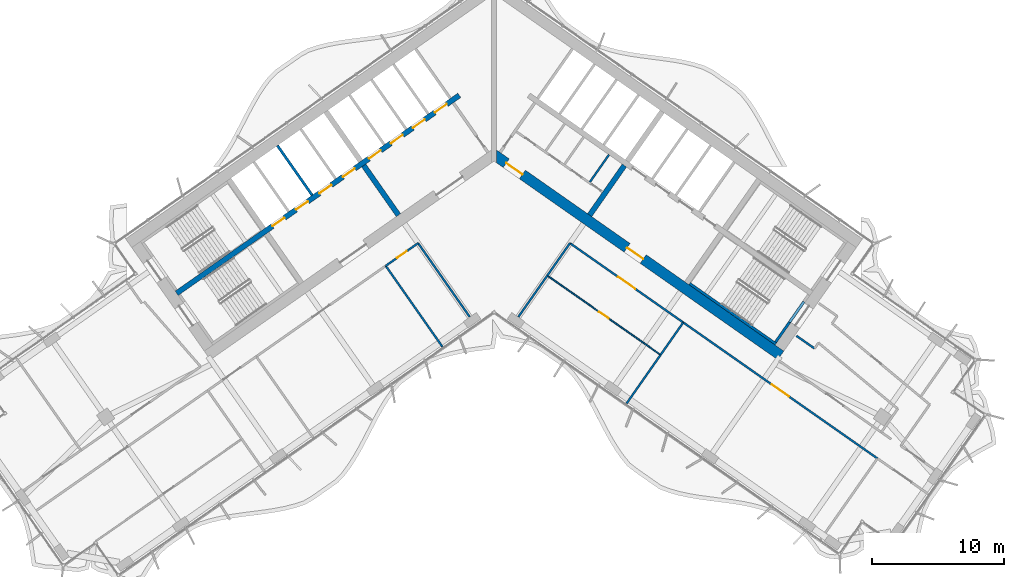
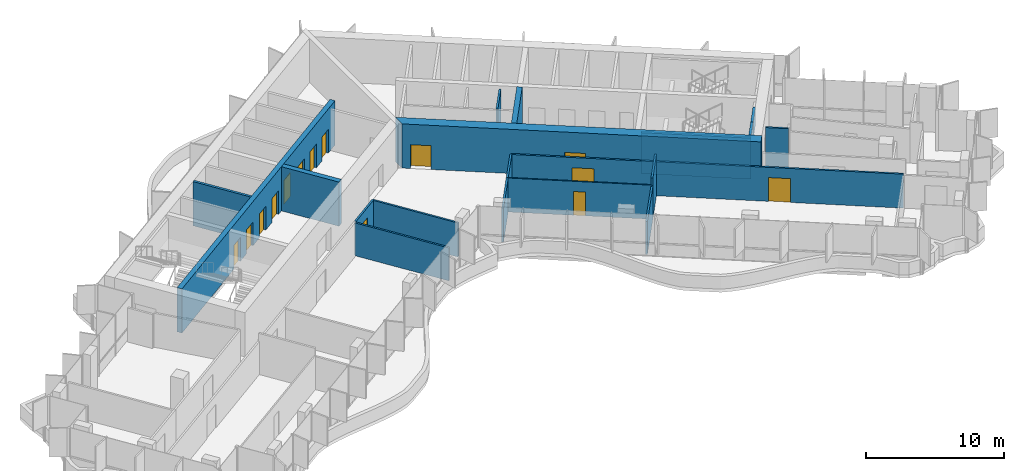
# One storey, part 13 of 21: 20 walls, 14 doors, 14 openings.
"""IFC4 building model written with IfcOpenShell, lengths in metres."""

from ifc_helpers import new_model, si_unit, direction, frame, frame_2d, origin, place, context, subcontext, project, spatial, polyline, rectangle, outline, extrude, material, layer, layer_set, type_object, element, fill, save


model = new_model("IFC4")

# Units and contexts
model_context = context("Model", 3, precision=1e-05, world=origin(), true_north=direction((0.0, 1.0)))
body_context = subcontext(model_context, "Body", "Model", "MODEL_VIEW")
ifc_project = project(units=[si_unit("LENGTHUNIT", "METRE"), si_unit("AREAUNIT", "SQUARE_METRE"), si_unit("VOLUMEUNIT", "CUBIC_METRE"), si_unit("PLANEANGLEUNIT", "RADIAN"), si_unit("MASSUNIT", "GRAM", prefix="KILO")], contexts=[model_context])

# Site, building, storey
site_placement = place(None, origin())
site = spatial("IfcSite", under=ifc_project, at=site_placement, CompositionType="ELEMENT")
building_placement = place(site_placement, origin())
building = spatial("IfcBuilding", under=site, at=building_placement, Name="Tel Ilan Convention Tower", CompositionType="ELEMENT")
storey_placement = place(building_placement, frame((0.0, 0.0, 147.60009765625)))
storey = spatial("IfcBuildingStorey", under=building, at=storey_placement, Name="L33", CompositionType="ELEMENT", Elevation=147.60009765625)

# Walls
ifc_material_1 = material(Name="Gypsum Plasterboard on Steel Stud", Category="steel")
ifc_layer_1 = layer(ifc_material_1, 0.14990234375)
ifc_layer_set_1 = layer_set([ifc_layer_1], Name="Core Room Partition Wall 150 mm EI 60")
wall_type_1 = type_object("IfcWallType", Name="Core Room Partition Wall 150 mm EI 60", PredefinedType="PARTITIONING", material=ifc_layer_set_1)
wall_1_placement = place(storey_placement, frame((7.280517578125, -2.808837890625, 0.0), z_axis=(0.0, 0.0, 1.0), x_axis=(0.573566168143, 0.81915923407, 0.0)))
element("IfcWall", 1, at=wall_1_placement, inside=storey, type_object=wall_type_1, Name="L33 core wall wc-v2", PredefinedType="PARTITIONING", context=body_context, shape_type="SweptSolid", body=[
    extrude(rectangle(XDim=2.52490234375, YDim=0.14990234375, at=frame_2d((1.262451171875, 0.0))), origin(), (0.0, 0.0, 1.0), 3.619873046875),
])
ifc_material_2 = material(Name="Concrete C50/60", Category="concrete")
ifc_layer_2 = layer(ifc_material_2, 0.39990234375)
ifc_layer_set_2 = layer_set([ifc_layer_2], Name="Core Shear Wall 400 mm C50/60")
wall_type_2 = type_object("IfcWallType", Name="Core Shear Wall 400 mm C50/60", PredefinedType="SHEAR", material=ifc_layer_set_2)
wall_2_placement = place(storey_placement, frame((-7.2578125, -5.325927734375, 0.0), z_axis=(0.0, 0.0, 1.0), x_axis=(-0.573540709186, 0.819177059558, 0.0)))
element("IfcWall", 2, at=wall_2_placement, inside=storey, type_object=wall_type_2, Name="L33 core wall W-cross1-1", PredefinedType="SHEAR", context=body_context, shape_type="SweptSolid", body=[
    extrude(outline(polyline([(4.599853515625, 0.2001953125), (-0.000244140625, 0.199951171875), (-0.000244140625, -0.2001953125), (4.599853515625, -0.199951171875), (4.599853515625, 0.2001953125)])), origin(), (0.0, 0.0, 1.0), 3.89990234375),
])

# Wall, openings, doors
wall_3_placement = place(storey_placement, frame((-2.638427734375, 3.76806640625, 0.0), z_axis=(0.0, 0.0, 1.0), x_axis=(-0.81915267502, -0.573575535572, 0.0)))
wall_3 = element("IfcWall", 3, at=wall_3_placement, inside=storey, type_object=wall_type_2, Name="L33 core wall W-spine", PredefinedType="SHEAR", context=body_context, shape_type="SweptSolid", body=[
    extrude(outline(polyline([(26.199951171875, 0.199951171875), (0.0, 0.199951171875), (0.0, -0.199951171875), (26.199951171875, -0.199951171875), (26.199951171875, 0.199951171875)])), origin(), (0.0, 0.0, 1.0), 3.89990234375),
])
opening_1_placement = place(wall_3_placement, frame((1.168701171875, 0.0, 0.0)))
opening_1 = element("IfcOpeningElement", 4, at=opening_1_placement, cuts=wall_3, Name="Opening LD2704", PredefinedType="OPENING", context=body_context, shape_type="SweptSolid", body=[
    extrude(rectangle(XDim=1.10009765625, YDim=2.10009765625, at=frame_2d((0.550048828125, 1.050048828125))), frame((0.0, 0.2099609375, 0.0), z_axis=(0.0, -1.0, 0.0), x_axis=(1.0, 0.0, 0.0)), (0.0, 0.0, 1.0), 0.419921875),
])
opening_2_placement = place(wall_3_placement, frame((3.206298828125, 0.0, 0.0)))
opening_2 = element("IfcOpeningElement", 5, at=opening_2_placement, cuts=wall_3, Name="Opening LD2705", PredefinedType="OPENING", context=body_context, shape_type="SweptSolid", body=[
    extrude(rectangle(XDim=1.10009765625, YDim=2.10009765625, at=frame_2d((0.550048828125, 1.050048828125))), frame((0.0, 0.2099609375, 0.0), z_axis=(0.0, -1.0, 0.0), x_axis=(1.0, 0.0, 0.0)), (0.0, 0.0, 1.0), 0.419921875),
])
opening_3_placement = place(wall_3_placement, frame((5.24365234375, 0.0, 0.0)))
opening_3 = element("IfcOpeningElement", 6, at=opening_3_placement, cuts=wall_3, Name="Opening LD2706", PredefinedType="OPENING", context=body_context, shape_type="SweptSolid", body=[
    extrude(rectangle(XDim=1.10009765625, YDim=2.10009765625, at=frame_2d((0.550048828125, 1.050048828125))), frame((0.0, 0.2099609375, 0.0), z_axis=(0.0, -1.0, 0.0), x_axis=(1.0, 0.0, 0.0)), (0.0, 0.0, 1.0), 0.419921875),
])
opening_4_placement = place(wall_3_placement, frame((7.28125, 0.0, 0.0)))
opening_4 = element("IfcOpeningElement", 7, at=opening_4_placement, cuts=wall_3, Name="Opening LD2707", PredefinedType="OPENING", context=body_context, shape_type="SweptSolid", body=[
    extrude(rectangle(XDim=1.10009765625, YDim=2.10009765625, at=frame_2d((0.550048828125, 1.050048828125))), frame((0.0, 0.2099609375, 0.0), z_axis=(0.0, -1.0, 0.0), x_axis=(1.0, 0.0, 0.0)), (0.0, 0.0, 1.0), 0.419921875),
])
opening_5_placement = place(wall_3_placement, frame((9.6875, 0.0, 0.0)))
opening_5 = element("IfcOpeningElement", 8, at=opening_5_placement, cuts=wall_3, Name="Opening LD2708", PredefinedType="OPENING", context=body_context, shape_type="SweptSolid", body=[
    extrude(rectangle(XDim=1.10009765625, YDim=2.10009765625, at=frame_2d((0.550048828125, 1.050048828125))), frame((0.0, 0.2099609375, 0.0), z_axis=(0.0, -1.0, 0.0), x_axis=(1.0, 0.0, 0.0)), (0.0, 0.0, 1.0), 0.419921875),
])
opening_6_placement = place(wall_3_placement, frame((11.862548828125, 0.0, 0.0)))
opening_6 = element("IfcOpeningElement", 9, at=opening_6_placement, cuts=wall_3, Name="Opening LD2709", PredefinedType="OPENING", context=body_context, shape_type="SweptSolid", body=[
    extrude(rectangle(XDim=1.10009765625, YDim=2.10009765625, at=frame_2d((0.550048828125, 1.050048828125))), frame((0.0, 0.2099609375, 0.0), z_axis=(0.0, -1.0, 0.0), x_axis=(1.0, 0.0, 0.0)), (0.0, 0.0, 1.0), 0.419921875),
])
opening_7_placement = place(wall_3_placement, frame((14.03759765625, 0.0, 0.0)))
opening_7 = element("IfcOpeningElement", 10, at=opening_7_placement, cuts=wall_3, Name="Opening LD2710", PredefinedType="OPENING", context=body_context, shape_type="SweptSolid", body=[
    extrude(rectangle(XDim=1.10009765625, YDim=2.10009765625, at=frame_2d((0.550048828125, 1.050048828125))), frame((0.0, 0.2099609375, 0.0), z_axis=(0.0, -1.0, 0.0), x_axis=(1.0, 0.0, 0.0)), (0.0, 0.0, 1.0), 0.419921875),
])
opening_8_placement = place(wall_3_placement, frame((16.21240234375, 0.0, 0.0)))
opening_8 = element("IfcOpeningElement", 11, at=opening_8_placement, cuts=wall_3, Name="Opening LD2711", PredefinedType="OPENING", context=body_context, shape_type="SweptSolid", body=[
    extrude(rectangle(XDim=1.10009765625, YDim=2.10009765625, at=frame_2d((0.550048828125, 1.050048828125))), frame((0.0, 0.2099609375, 0.0), z_axis=(0.0, -1.0, 0.0), x_axis=(1.0, 0.0, 0.0)), (0.0, 0.0, 1.0), 0.419921875),
])
ifc_material_3 = material(Name="Stainless Steel Sliding Door Leaf", Category="steel")
door_type_1 = type_object("IfcDoorType", Name="Lift Landing Door 1100 x 2100 FD120", OperationType="NOTDEFINED", PredefinedType="DOOR", material=ifc_material_3)
door_1_placement = place(opening_1_placement, origin())
door_1 = element("IfcDoor", 12, at=door_1_placement, inside=storey, type_object=door_type_1, Name="Lift LR1 landing door", OperationType="SLIDING_TO_LEFT", OverallHeight=2.10009765625, OverallWidth=1.10009765625, PredefinedType="DOOR", context=body_context, shape_type="SweptSolid", body=[
    extrude(rectangle(XDim=1.10009765625, YDim=2.10009765625, at=frame_2d((0.550048828125, 1.050048828125))), frame((0.0, 0.02490234375, 0.0), z_axis=(0.0, -1.0, 0.0), x_axis=(1.0, 0.0, 0.0)), (0.0, 0.0, 1.0), 0.050048828125),
])
fill(opening_1, door_1)
door_2_placement = place(opening_2_placement, origin())
door_2 = element("IfcDoor", 13, at=door_2_placement, inside=storey, type_object=door_type_1, Name="Lift LR2 landing door", OperationType="SLIDING_TO_RIGHT", OverallHeight=2.10009765625, OverallWidth=1.10009765625, PredefinedType="DOOR", context=body_context, shape_type="SweptSolid", body=[
    extrude(rectangle(XDim=1.10009765625, YDim=2.10009765625, at=frame_2d((0.550048828125, 1.050048828125))), frame((0.0, 0.02490234375, 0.0), z_axis=(0.0, -1.0, 0.0), x_axis=(1.0, 0.0, 0.0)), (0.0, 0.0, 1.0), 0.050048828125),
])
fill(opening_2, door_2)
door_3_placement = place(opening_3_placement, origin())
door_3 = element("IfcDoor", 14, at=door_3_placement, inside=storey, type_object=door_type_1, Name="Lift LR3 landing door", OperationType="SLIDING_TO_LEFT", OverallHeight=2.10009765625, OverallWidth=1.10009765625, PredefinedType="DOOR", context=body_context, shape_type="SweptSolid", body=[
    extrude(rectangle(XDim=1.10009765625, YDim=2.10009765625, at=frame_2d((0.550048828125, 1.050048828125))), frame((0.0, 0.02490234375, 0.0), z_axis=(0.0, -1.0, 0.0), x_axis=(1.0, 0.0, 0.0)), (0.0, 0.0, 1.0), 0.050048828125),
])
fill(opening_3, door_3)
door_4_placement = place(opening_4_placement, origin())
door_4 = element("IfcDoor", 15, at=door_4_placement, inside=storey, type_object=door_type_1, Name="Lift LR4 landing door", OperationType="SLIDING_TO_RIGHT", OverallHeight=2.10009765625, OverallWidth=1.10009765625, PredefinedType="DOOR", context=body_context, shape_type="SweptSolid", body=[
    extrude(rectangle(XDim=1.10009765625, YDim=2.10009765625, at=frame_2d((0.550048828125, 1.050048828125))), frame((0.0, 0.02490234375, 0.0), z_axis=(0.0, -1.0, 0.0), x_axis=(1.0, 0.0, 0.0)), (0.0, 0.0, 1.0), 0.050048828125),
])
fill(opening_4, door_4)
door_5_placement = place(opening_5_placement, origin())
door_5 = element("IfcDoor", 16, at=door_5_placement, inside=storey, type_object=door_type_1, Name="Lift LR5 landing door", OperationType="SLIDING_TO_LEFT", OverallHeight=2.10009765625, OverallWidth=1.10009765625, PredefinedType="DOOR", context=body_context, shape_type="SweptSolid", body=[
    extrude(rectangle(XDim=1.10009765625, YDim=2.10009765625, at=frame_2d((0.550048828125, 1.050048828125))), frame((0.0, 0.02490234375, 0.0), z_axis=(0.0, -1.0, 0.0), x_axis=(1.0, 0.0, 0.0)), (0.0, 0.0, 1.0), 0.050048828125),
])
fill(opening_5, door_5)
door_6_placement = place(opening_6_placement, origin())
door_6 = element("IfcDoor", 17, at=door_6_placement, inside=storey, type_object=door_type_1, Name="Lift LR6 landing door", OperationType="SLIDING_TO_RIGHT", OverallHeight=2.10009765625, OverallWidth=1.10009765625, PredefinedType="DOOR", context=body_context, shape_type="SweptSolid", body=[
    extrude(rectangle(XDim=1.10009765625, YDim=2.10009765625, at=frame_2d((0.550048828125, 1.050048828125))), frame((0.0, 0.02490234375, 0.0), z_axis=(0.0, -1.0, 0.0), x_axis=(1.0, 0.0, 0.0)), (0.0, 0.0, 1.0), 0.050048828125),
])
fill(opening_6, door_6)
door_7_placement = place(opening_7_placement, origin())
door_7 = element("IfcDoor", 18, at=door_7_placement, inside=storey, type_object=door_type_1, Name="Lift LR7 landing door", OperationType="SLIDING_TO_LEFT", OverallHeight=2.10009765625, OverallWidth=1.10009765625, PredefinedType="DOOR", context=body_context, shape_type="SweptSolid", body=[
    extrude(rectangle(XDim=1.10009765625, YDim=2.10009765625, at=frame_2d((0.550048828125, 1.050048828125))), frame((0.0, 0.02490234375, 0.0), z_axis=(0.0, -1.0, 0.0), x_axis=(1.0, 0.0, 0.0)), (0.0, 0.0, 1.0), 0.050048828125),
])
fill(opening_7, door_7)
door_8_placement = place(opening_8_placement, origin())
door_8 = element("IfcDoor", 19, at=door_8_placement, inside=storey, type_object=door_type_1, Name="Lift LR8 landing door", OperationType="SLIDING_TO_RIGHT", OverallHeight=2.10009765625, OverallWidth=1.10009765625, PredefinedType="DOOR", context=body_context, shape_type="SweptSolid", body=[
    extrude(rectangle(XDim=1.10009765625, YDim=2.10009765625, at=frame_2d((0.550048828125, 1.050048828125))), frame((0.0, 0.02490234375, 0.0), z_axis=(0.0, -1.0, 0.0), x_axis=(1.0, 0.0, 0.0)), (0.0, 0.0, 1.0), 0.050048828125),
])
fill(opening_8, door_8)

# Wall
wall_4_placement = place(storey_placement, frame((7.2578125, -5.325927734375, 0.0), z_axis=(0.0, 0.0, 1.0), x_axis=(0.573540709186, 0.819177059558, 0.0)))
element("IfcWall", 20, at=wall_4_placement, inside=storey, type_object=wall_type_2, Name="L33 core wall E-cross1-1", PredefinedType="SHEAR", context=body_context, shape_type="SweptSolid", body=[
    extrude(outline(polyline([(-0.000244140625, 0.2001953125), (-0.000244140625, -0.199951171875), (4.599853515625, -0.2001953125), (4.599853515625, 0.199951171875), (-0.000244140625, 0.2001953125)])), origin(), (0.0, 0.0, 1.0), 3.89990234375),
])

# Wall, openings, doors
ifc_material_4 = material(Name="Concrete C50/60", Category="concrete")
ifc_layer_3 = layer(ifc_material_4, 0.800048828125)
ifc_layer_set_3 = layer_set([ifc_layer_3], Name="Core Shear Wall 800 mm C50/60")
wall_type_3 = type_object("IfcWallType", Name="Core Shear Wall 800 mm C50/60", PredefinedType="SHEAR", material=ifc_layer_set_3)
wall_5_placement = place(storey_placement, frame((-0.029296875, -0.7119140625, 0.0), z_axis=(0.0, 0.0, 1.0), x_axis=(0.819151758019, -0.573576845187, 0.0)))
wall_5 = element("IfcWall", 21, at=wall_5_placement, inside=storey, type_object=wall_type_3, Name="L33 core wall E-front", PredefinedType="SHEAR", context=body_context, shape_type="SweptSolid", body=[
    extrude(outline(polyline([(26.61572265625, 0.39990234375), (-0.000244140625, 0.39990234375), (0.56005859375, -0.39990234375), (26.61572265625, -0.39990234375), (26.61572265625, 0.39990234375)])), origin(), (0.0, 0.0, 1.0), 3.89990234375),
])
opening_9_placement = place(wall_5_placement, frame((1.165771484375, 0.0, 0.0)))
opening_9 = element("IfcOpeningElement", 22, at=opening_9_placement, cuts=wall_5, Name="Opening CD2703", PredefinedType="OPENING", context=body_context, shape_type="SweptSolid", body=[
    extrude(rectangle(XDim=1.5, YDim=2.10009765625, at=frame_2d((0.75, 1.050048828125))), frame((0.0, 0.409912109375, 0.0), z_axis=(0.0, -1.0, 0.0), x_axis=(1.0, 0.0, 0.0)), (0.0, 0.0, 1.0), 0.820068359375),
])
opening_10_placement = place(wall_5_placement, frame((12.36572265625, 0.0, 0.0)))
opening_10 = element("IfcOpeningElement", 23, at=opening_10_placement, cuts=wall_5, Name="Opening CD2704", PredefinedType="OPENING", context=body_context, shape_type="SweptSolid", body=[
    extrude(rectangle(XDim=1.5, YDim=2.10009765625, at=frame_2d((0.75, 1.050048828125))), frame((0.0, 0.409912109375, 0.0), z_axis=(0.0, -1.0, 0.0), x_axis=(1.0, 0.0, 0.0)), (0.0, 0.0, 1.0), 0.820068359375),
])
ifc_material_5 = material(Name="Glazed Aluminium Door Leaf", Category="aluminium")
door_type_2 = type_object("IfcDoorType", Name="Lobby Opening Door 1500 x 2100 FD60S", OperationType="NOTDEFINED", PredefinedType="DOOR", material=ifc_material_5)
door_9_placement = place(opening_10_placement, origin())
door_9 = element("IfcDoor", 24, at=door_9_placement, inside=storey, type_object=door_type_2, Name="Firefighting Lobby door", OperationType="DOUBLE_DOOR_SINGLE_SWING", OverallHeight=2.10009765625, OverallWidth=1.5, PredefinedType="DOOR", context=body_context, shape_type="SweptSolid", body=[
    extrude(rectangle(XDim=1.5, YDim=2.10009765625, at=frame_2d((0.75, 1.050048828125))), frame((0.0, 0.02490234375, 0.0), z_axis=(0.0, -1.0, 0.0), x_axis=(1.0, 0.0, 0.0)), (0.0, 0.0, 1.0), 0.050048828125),
])
fill(opening_10, door_9)
ifc_material_6 = material(Name="Laminated Timber Door Leaf", Category="wood")
door_type_3 = type_object("IfcDoorType", Name="Toilet Door 1500 x 2100 FD30S", OperationType="NOTDEFINED", PredefinedType="DOOR", material=ifc_material_6)
door_10_placement = place(opening_9_placement, origin())
door_10 = element("IfcDoor", 25, at=door_10_placement, inside=storey, type_object=door_type_3, Name="WC Lobby door", OperationType="SINGLE_SWING_RIGHT", OverallHeight=2.10009765625, OverallWidth=1.5, PredefinedType="DOOR", context=body_context, shape_type="SweptSolid", body=[
    extrude(rectangle(XDim=1.5, YDim=2.10009765625, at=frame_2d((0.75, 1.050048828125))), frame((0.0, 0.02490234375, 0.0), z_axis=(0.0, -1.0, 0.0), x_axis=(1.0, 0.0, 0.0)), (0.0, 0.0, 1.0), 0.050048828125),
])
fill(opening_9, door_10)

# Wall, opening, door
ifc_material_7 = material(Name="Plasterboard on Steel Studs", Category="steel")
ifc_layer_4 = layer(ifc_material_7, 0.14990234375)
ifc_layer_set_4 = layer_set([ifc_layer_4], Name="Fire-rated Partition 150 EI 60")
wall_type_4 = type_object("IfcWallType", Name="Fire-rated Partition 150 EI 60", PredefinedType="PARTITIONING", material=ifc_layer_set_4)
wall_6_placement = place(storey_placement, frame((14.369140625, -13.4794921875, 0.0), z_axis=(0.0, 0.0, 1.0), x_axis=(-0.819154371039, 0.573573113393, 0.0)))
wall_6 = element("IfcWall", 26, at=wall_6_placement, inside=storey, type_object=wall_type_4, Name="Partition 003", PredefinedType="PARTITIONING", context=body_context, shape_type="SweptSolid", body=[
    extrude(rectangle(XDim=10.501953125, YDim=0.14990234375, at=frame_2d((5.2509765625, 0.0))), origin(), (0.0, 0.0, 1.0), 3.0),
])
opening_11_placement = place(wall_6_placement, frame((4.450927734375, 0.0, 0.0)))
opening_11 = element("IfcOpeningElement", 27, at=opening_11_placement, cuts=wall_6, Name="Opening L33-008", PredefinedType="OPENING", context=body_context, shape_type="SweptSolid", body=[
    extrude(rectangle(XDim=1.60009765625, YDim=2.10009765625, at=frame_2d((0.800048828125, 1.050048828125))), frame((0.0, 0.0849609375, 0.0), z_axis=(0.0, -1.0, 0.0), x_axis=(1.0, 0.0, 0.0)), (0.0, 0.0, 1.0), 0.169921875),
])
ifc_material_8 = material(Name="Timber Door Leaf in Steel Frame", Category="steel")
door_type_4 = type_object("IfcDoorType", Name="Tenant Suite Entrance Fire Door 1600x2100", OperationType="NOTDEFINED", PredefinedType="DOOR", material=ifc_material_8)
door_11_placement = place(opening_11_placement, origin())
door_11 = element("IfcDoor", 28, at=door_11_placement, inside=storey, type_object=door_type_4, Name="Door L33-008", OperationType="DOUBLE_DOOR_SINGLE_SWING", OverallHeight=2.10009765625, OverallWidth=1.60009765625, PredefinedType="DOOR", context=body_context, shape_type="SweptSolid", body=[
    extrude(rectangle(XDim=1.60009765625, YDim=2.10009765625, at=frame_2d((0.800048828125, 1.050048828125))), frame((0.0, 0.02490234375, 0.0), z_axis=(0.0, -1.0, 0.0), x_axis=(1.0, 0.0, 0.0)), (0.0, 0.0, 1.0), 0.050048828125),
])
fill(opening_11, door_11)

wall_7_placement = place(storey_placement, frame((29.11376953125, -23.803955078125, 0.0), z_axis=(0.0, 0.0, 1.0), x_axis=(-0.81915291695, 0.57357519006, 0.0)))
wall_7 = element("IfcWall", 29, at=wall_7_placement, inside=storey, type_object=wall_type_4, Name="Partition 004", PredefinedType="PARTITIONING", context=body_context, shape_type="SweptSolid", body=[
    extrude(rectangle(XDim=18.00390625, YDim=0.14990234375, at=frame_2d((9.001953125, 0.0))), origin(), (0.0, 0.0, 1.0), 3.0),
])
opening_12_placement = place(wall_7_placement, frame((8.201904296875, 0.0, 0.0)))
opening_12 = element("IfcOpeningElement", 30, at=opening_12_placement, cuts=wall_7, Name="Opening L33-010", PredefinedType="OPENING", context=body_context, shape_type="SweptSolid", body=[
    extrude(rectangle(XDim=1.60009765625, YDim=2.10009765625, at=frame_2d((0.800048828125, 1.050048828125))), frame((0.0, 0.0849609375, 0.0), z_axis=(0.0, -1.0, 0.0), x_axis=(1.0, 0.0, 0.0)), (0.0, 0.0, 1.0), 0.169921875),
])
door_12_placement = place(opening_12_placement, origin())
door_12 = element("IfcDoor", 31, at=door_12_placement, inside=storey, type_object=door_type_4, Name="Door L33-010", OperationType="DOUBLE_DOOR_SINGLE_SWING", OverallHeight=2.10009765625, OverallWidth=1.60009765625, PredefinedType="DOOR", context=body_context, shape_type="SweptSolid", body=[
    extrude(rectangle(XDim=1.60009765625, YDim=2.10009765625, at=frame_2d((0.800048828125, 1.050048828125))), frame((0.0, 0.02490234375, 0.0), z_axis=(0.0, -1.0, 0.0), x_axis=(1.0, 0.0, 0.0)), (0.0, 0.0, 1.0), 0.050048828125),
])
fill(opening_12, door_12)

wall_8_placement = place(storey_placement, frame((-5.766357421875, -7.455810546875, 0.0), z_axis=(0.0, 0.0, 1.0), x_axis=(-0.819132568355, -0.573604249862, 0.0)))
wall_8 = element("IfcWall", 32, at=wall_8_placement, inside=storey, type_object=wall_type_4, Name="Partition 008", PredefinedType="PARTITIONING", context=body_context, shape_type="SweptSolid", body=[
    extrude(rectangle(XDim=3.001953125, YDim=0.14990234375, at=frame_2d((1.5009765625, 0.0))), origin(), (0.0, 0.0, 1.0), 3.0),
])
opening_13_placement = place(wall_8_placement, frame((1.051025390625, 0.0, 0.0)))
opening_13 = element("IfcOpeningElement", 33, at=opening_13_placement, cuts=wall_8, Name="Opening L33-001", PredefinedType="OPENING", context=body_context, shape_type="SweptSolid", body=[
    extrude(rectangle(XDim=0.89990234375, YDim=2.10009765625, at=frame_2d((0.449951171875, 1.050048828125))), frame((0.0, 0.0849609375, 0.0), z_axis=(0.0, -1.0, 0.0), x_axis=(1.0, 0.0, 0.0)), (0.0, 0.0, 1.0), 0.169921875),
])
ifc_material_9 = material(Name="Timber Door Leaf in Steel Frame", Category="steel")
door_type_5 = type_object("IfcDoorType", Name="Room Fire Door 900x2100", OperationType="NOTDEFINED", PredefinedType="DOOR", material=ifc_material_9)
door_13_placement = place(opening_13_placement, origin())
door_13 = element("IfcDoor", 34, at=door_13_placement, inside=storey, type_object=door_type_5, Name="Door L33-001", OperationType="SINGLE_SWING_RIGHT", OverallHeight=2.10009765625, OverallWidth=0.89990234375, PredefinedType="DOOR", context=body_context, shape_type="SweptSolid", body=[
    extrude(rectangle(XDim=0.89990234375, YDim=2.10009765625, at=frame_2d((0.449951171875, 1.050048828125))), frame((0.0, 0.02490234375, 0.0), z_axis=(0.0, -1.0, 0.0), x_axis=(1.0, 0.0, 0.0)), (0.0, 0.0, 1.0), 0.050048828125),
])
fill(opening_13, door_13)

# Walls
wall_9_placement = place(storey_placement, frame((22.961181640625, -14.490478515625, 0.0), z_axis=(0.0, 0.0, 1.0), x_axis=(0.819109000826, -0.573637903879, 0.0)))
element("IfcWall", 35, at=wall_9_placement, inside=storey, type_object=wall_type_4, Name="Partition 016", PredefinedType="PARTITIONING", context=body_context, shape_type="SweptSolid", body=[
    extrude(rectangle(XDim=1.679931640625, YDim=0.14990234375, at=frame_2d((0.83984375, 0.0))), origin(), (0.0, 0.0, 1.0), 3.619873046875),
])
wall_10_placement = place(storey_placement, frame((12.64599609375, -15.9365234375, 0.0), z_axis=(0.0, 0.0, 1.0), x_axis=(-0.573527897688, -0.819186029284, 0.0)))
element("IfcWall", 36, at=wall_10_placement, inside=storey, type_object=wall_type_4, Name="Partition 024", PredefinedType="PARTITIONING", context=body_context, shape_type="SweptSolid", body=[
    extrude(rectangle(XDim=4.4990234375, YDim=0.14990234375, at=frame_2d((2.24951171875, 0.0))), origin(), (0.0, 0.0, 1.0), 2.89990234375),
])
wall_11_placement = place(storey_placement, frame((1.848876953125, -13.050537109375, 0.0), z_axis=(0.0, 0.0, 1.0), x_axis=(0.573594994199, 0.819139049631, 0.0)))
element("IfcWall", 37, at=wall_11_placement, inside=storey, type_object=wall_type_4, Name="Partition 025", PredefinedType="PARTITIONING", context=body_context, shape_type="SweptSolid", body=[
    extrude(rectangle(XDim=3.8291015625, YDim=0.14990234375, at=frame_2d((1.91455078125, 0.0))), origin(), (0.0, 0.0, 1.0), 3.0),
])
wall_12_placement = place(storey_placement, frame((14.367431640625, -13.478515625, 0.0), z_axis=(0.0, 0.0, 1.0), x_axis=(-0.573598887793, -0.819136323161, 0.0)))
element("IfcWall", 38, at=wall_12_placement, inside=storey, type_object=wall_type_4, Name="Partition 026", PredefinedType="PARTITIONING", context=body_context, shape_type="SweptSolid", body=[
    extrude(rectangle(XDim=2.999755859375, YDim=0.14990234375, at=frame_2d((1.5, 0.0))), origin(), (0.0, 0.0, 1.0), 3.619873046875),
])
wall_13_placement = place(storey_placement, frame((4.045654296875, -9.913330078125, 0.0), z_axis=(0.0, 0.0, 1.0), x_axis=(0.573560650686, 0.819163097304, 0.0)))
element("IfcWall", 39, at=wall_13_placement, inside=storey, type_object=wall_type_4, Name="Partition 027", PredefinedType="PARTITIONING", context=body_context, shape_type="SweptSolid", body=[
    extrude(rectangle(XDim=3.0, YDim=0.14990234375, at=frame_2d((1.5, 0.0))), origin(), (0.0, 0.0, 1.0), 3.0),
])
wall_14_placement = place(storey_placement, frame((-1.848876953125, -13.050537109375, 0.0), z_axis=(0.0, 0.0, 1.0), x_axis=(-0.57357985571, 0.819149650018, 0.0)))
element("IfcWall", 40, at=wall_14_placement, inside=storey, type_object=wall_type_4, Name="Partition 029", PredefinedType="PARTITIONING", context=body_context, shape_type="SweptSolid", body=[
    extrude(rectangle(XDim=6.83203125, YDim=0.14990234375, at=frame_2d((3.416015625, 0.0))), origin(), (0.0, 0.0, 1.0), 3.0),
])
wall_15_placement = place(storey_placement, frame((-3.922119140625, -15.3203125, 0.0), z_axis=(0.0, 0.0, 1.0), x_axis=(-0.573560650686, 0.819163097304, 0.0)))
element("IfcWall", 41, at=wall_15_placement, inside=storey, type_object=wall_type_4, Name="Partition 033", PredefinedType="PARTITIONING", context=body_context, shape_type="SweptSolid", body=[
    extrude(rectangle(XDim=7.5, YDim=0.14990234375, at=frame_2d((3.75, 0.0))), origin(), (0.0, 0.0, 1.0), 2.89990234375),
])
ifc_material_10 = material(Name="Concrete C30/37", Category="concrete")
ifc_layer_5 = layer(ifc_material_10, 0.199951171875)
ifc_layer_set_5 = layer_set([ifc_layer_5], Name="Lift Shaft Wall 200 mm C30/37")
wall_type_5 = type_object("IfcWallType", Name="Lift Shaft Wall 200 mm C30/37", PredefinedType="SOLIDWALL", material=ifc_layer_set_5)
wall_16_placement = place(storey_placement, frame((-13.811767578125, -3.811279296875, 0.0), z_axis=(0.0, 0.0, 1.0), x_axis=(-0.573576324356, 0.819152122709, 0.0)))
element("IfcWall", 42, at=wall_16_placement, inside=storey, type_object=wall_type_5, Name="L33 core wall bank-W2-p1", PredefinedType="SOLIDWALL", context=body_context, shape_type="SweptSolid", body=[
    extrude(rectangle(XDim=4.599853515625, YDim=0.199951171875, at=frame_2d((2.2998046875, 0.0))), origin(), (0.0, 0.0, 1.0), 3.89990234375),
])

# Wall, opening, door
ifc_material_11 = material(Name="Plasterboard on Steel Studs", Category="steel")
ifc_layer_6 = layer(ifc_material_11, 0.10009765625)
ifc_layer_set_6 = layer_set([ifc_layer_6], Name="Plasterboard Partition 100")
wall_type_6 = type_object("IfcWallType", Name="Plasterboard Partition 100", PredefinedType="PARTITIONING", material=ifc_layer_set_6)
wall_17_placement = place(storey_placement, frame((12.64599609375, -15.9365234375, 0.0), z_axis=(0.0, 0.0, 1.0), x_axis=(-0.81914779845, 0.57358249999, 0.0)))
wall_17 = element("IfcWall", 43, at=wall_17_placement, inside=storey, type_object=wall_type_6, Name="Partition 023", PredefinedType="PARTITIONING", context=body_context, shape_type="SweptSolid", body=[
    extrude(rectangle(XDim=10.499755859375, YDim=0.10009765625, at=frame_2d((5.25, 0.0))), origin(), (0.0, 0.0, 1.0), 3.0),
])
opening_14_placement = place(wall_17_placement, frame((4.800048828125, 0.0, 0.0)))
opening_14 = element("IfcOpeningElement", 44, at=opening_14_placement, cuts=wall_17, Name="Opening L33-009", PredefinedType="OPENING", context=body_context, shape_type="SweptSolid", body=[
    extrude(rectangle(XDim=0.89990234375, YDim=2.10009765625, at=frame_2d((0.449951171875, 1.050048828125))), frame((0.0, 0.06005859375, 0.0), z_axis=(0.0, -1.0, 0.0), x_axis=(1.0, 0.0, 0.0)), (0.0, 0.0, 1.0), 0.1201171875),
])
ifc_material_12 = material(Name="Timber Door Leaf in Steel Frame", Category="steel")
door_type_6 = type_object("IfcDoorType", Name="Room Timber Door 900x2100", OperationType="NOTDEFINED", PredefinedType="DOOR", material=ifc_material_12)
door_14_placement = place(opening_14_placement, origin())
door_14 = element("IfcDoor", 45, at=door_14_placement, inside=storey, type_object=door_type_6, Name="Door L33-009", OperationType="SINGLE_SWING_RIGHT", OverallHeight=2.10009765625, OverallWidth=0.89990234375, PredefinedType="DOOR", context=body_context, shape_type="SweptSolid", body=[
    extrude(rectangle(XDim=0.89990234375, YDim=2.10009765625, at=frame_2d((0.449951171875, 1.050048828125))), frame((0.0, 0.02490234375, 0.0), z_axis=(0.0, -1.0, 0.0), x_axis=(1.0, 0.0, 0.0)), (0.0, 0.0, 1.0), 0.050048828125),
])
fill(opening_14, door_14)

# Walls
ifc_material_13 = material(Name="Concrete C30/37", Category="concrete")
ifc_layer_7 = layer(ifc_material_13, 0.199951171875)
ifc_layer_set_7 = layer_set([ifc_layer_7], Name="Stair and Shaft Lining Wall 200 mm C30/37")
wall_type_7 = type_object("IfcWallType", Name="Stair and Shaft Lining Wall 200 mm C30/37", PredefinedType="SOLIDWALL", material=ifc_layer_set_7)
wall_18_placement = place(storey_placement, frame((14.851318359375, -10.52099609375, 0.0), z_axis=(0.0, 0.0, 1.0), x_axis=(0.819141584393, -0.57359137434, 0.0)))
element("IfcWall", 46, at=wall_18_placement, inside=storey, type_object=wall_type_7, Name="L33 core wall lining-S4-t0", PredefinedType="SOLIDWALL", context=body_context, shape_type="SweptSolid", body=[
    extrude(rectangle(XDim=7.999755859375, YDim=0.199951171875, at=frame_2d((4.0, 0.0))), origin(), (0.0, 0.0, 1.0), 3.619873046875),
])
wall_19_placement = place(storey_placement, frame((21.3798828125, -14.97021484375, 0.0), z_axis=(0.0, 0.0, 1.0), x_axis=(0.573559770908, 0.819163713305, 0.0)))
element("IfcWall", 47, at=wall_19_placement, inside=storey, type_object=wall_type_7, Name="L33 core wall lining-S4-u1-0", PredefinedType="SOLIDWALL", context=body_context, shape_type="SweptSolid", body=[
    extrude(rectangle(XDim=1.849853515625, YDim=0.199951171875, at=frame_2d((0.9248046875, 0.0))), origin(), (0.0, 0.0, 1.0), 3.619873046875),
])
wall_20_placement = place(storey_placement, frame((22.44091796875, -13.454833984375, 2.14990234375), z_axis=(0.0, 0.0, 1.0), x_axis=(0.573591692345, 0.819141361715, 0.0)))
element("IfcWall", 48, at=wall_20_placement, inside=storey, type_object=wall_type_7, Name="L33 core wall lining-S4-u1-lintel", PredefinedType="SOLIDWALL", context=body_context, shape_type="SweptSolid", body=[
    extrude(rectangle(XDim=1.900146484375, YDim=0.199951171875, at=frame_2d((0.9501953125, 0.0))), origin(), (0.0, 0.0, 1.0), 1.469970703125),
])

save(model, "model.ifc")
